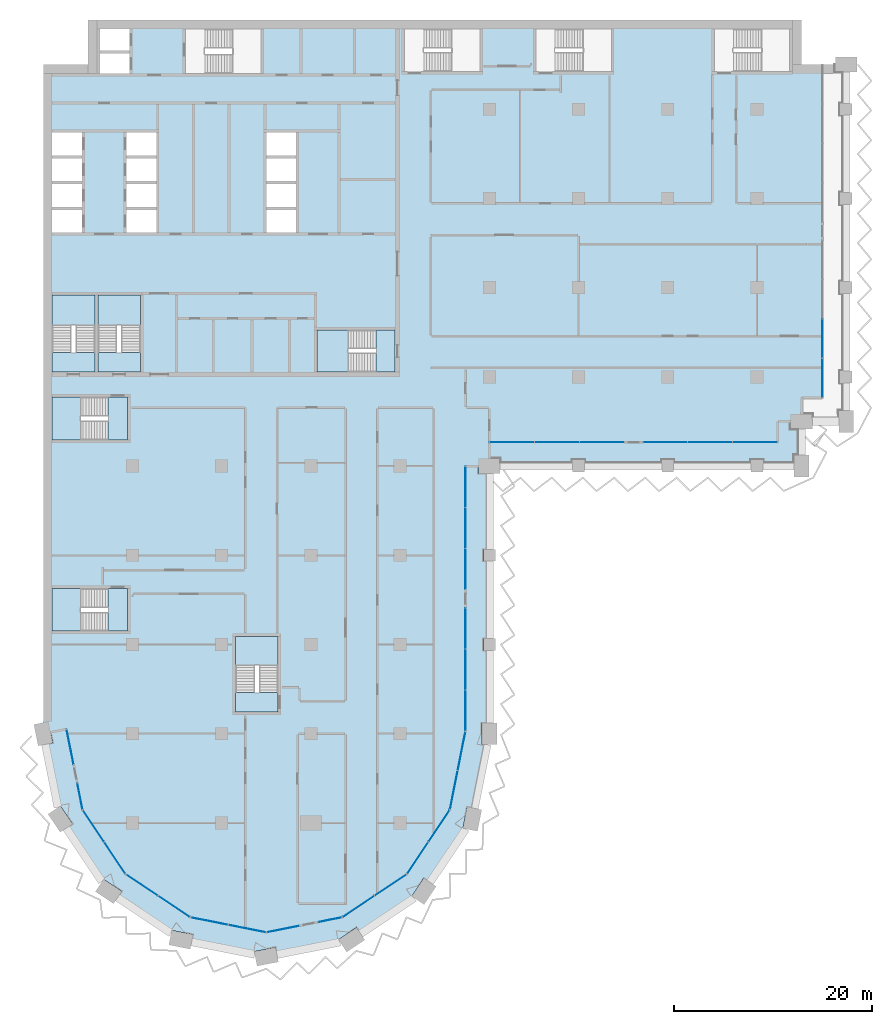
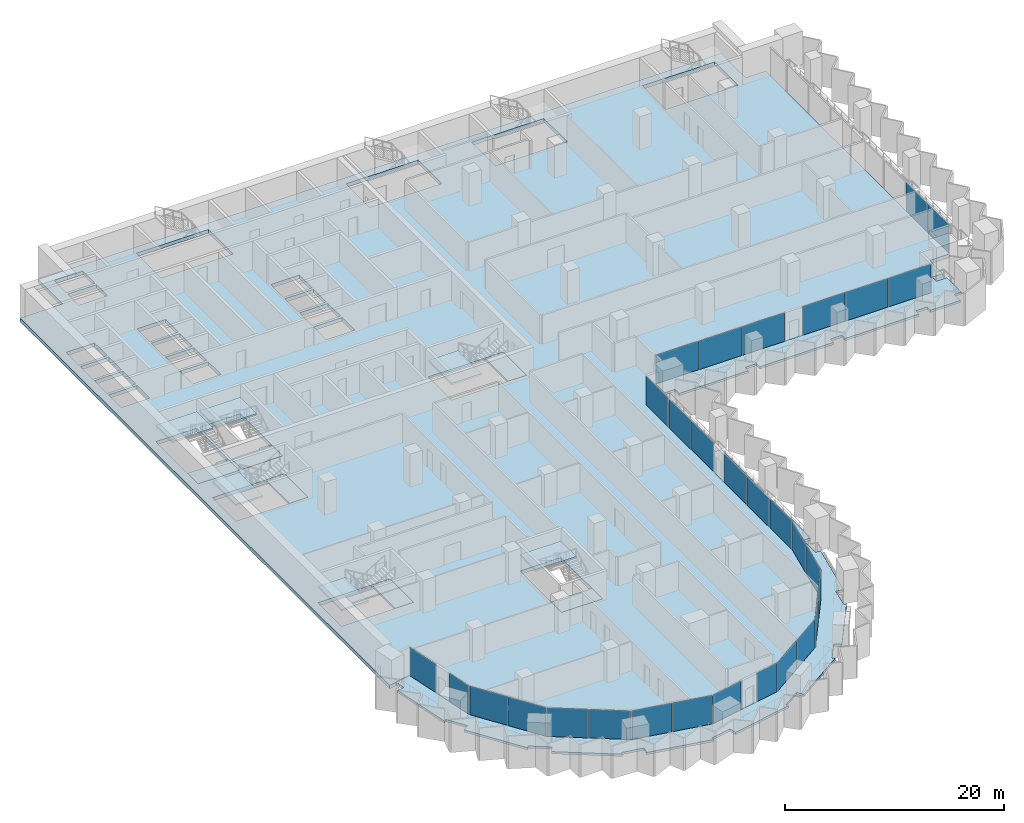
# One storey, part 7 of 23: 30 plates, 15 slabs, 21 elements without a shape of their own.
"""IFC4 building model written with IfcOpenShell, lengths in metres."""

from ifc_helpers import new_model, si_unit, direction, frame, origin, origin_2d, place, context, subcontext, project, spatial, polyline, rectangle, outline, extrude, material, layer, layer_set, type_object, element, aggregate, save


model = new_model("IFC4")

# Units and contexts
model_context = context("Model", 3, precision=1e-05, world=origin(), true_north=direction((0.0, 1.0)))
body_context = subcontext(model_context, "Body", "Model", "MODEL_VIEW")
ifc_project = project(units=[si_unit("LENGTHUNIT", "METRE"), si_unit("AREAUNIT", "SQUARE_METRE"), si_unit("VOLUMEUNIT", "CUBIC_METRE"), si_unit("PLANEANGLEUNIT", "RADIAN"), si_unit("MASSUNIT", "GRAM", prefix="KILO")], contexts=[model_context])

# Site, building, storey
site_placement = place(None, origin())
site = spatial("IfcSite", under=ifc_project, at=site_placement, CompositionType="ELEMENT")
building_placement = place(site_placement, origin())
building = spatial("IfcBuilding", under=site, at=building_placement, Name="Hunhe Ridgeline Campus", CompositionType="ELEMENT")
storey_placement = place(building_placement, frame((0.0, 0.0, 125.5)))
storey = spatial("IfcBuildingStorey", under=building, at=storey_placement, Name="L31", CompositionType="ELEMENT", Elevation=125.5)

# Curtain wall, plate
ifc_material_1 = material(Name="Aluminium 6063", Category="aluminium")
curtain_wall_type_1 = type_object("IfcCurtainWallType", Name="Curtain wall CW-5", PredefinedType="NOTDEFINED", material=ifc_material_1)
curtain_wall_1_placement = place(storey_placement, origin())
curtain_wall_1 = element("IfcCurtainWall", 1, at=curtain_wall_1_placement, inside=storey, type_object=curtain_wall_type_1, Name="Curtain wall 01", PredefinedType="NOTDEFINED")
ifc_material_2 = material(Name="Low-e laminated glass", Category="glass")
ifc_layer_1 = layer(ifc_material_2, 0.028076171875)
ifc_layer_set_1 = layer_set([ifc_layer_1], Name="Curtain wall glass panel 28 low-e laminated")
plate_type = type_object("IfcPlateType", Name="Curtain wall glass panel 28 low-e laminated", PredefinedType="CURTAIN_PANEL", material=ifc_layer_set_1)
plate_1_placement = place(storey_placement, frame((2.7158203125, 25.65380859375, 0.0), z_axis=(0.0, 0.0, 1.0), x_axis=(0.195095326561, -0.980784284924, 0.0)))
plate_1 = element("IfcPlate", 2, at=plate_1_placement, type_object=plate_type, Name="CW-5 panel 1", PredefinedType="CURTAIN_PANEL", context=body_context, shape_type="SweptSolid", body=[
    extrude(rectangle(XDim=3.560791015625, YDim=0.028076171875, at=origin_2d()), origin(), (0.0, 0.0, 1.0), 3.179931640625),
])
aggregate(curtain_wall_1, [plate_1])

curtain_wall_2_placement = place(storey_placement, origin())
curtain_wall_2 = element("IfcCurtainWall", 3, at=curtain_wall_2_placement, inside=storey, type_object=curtain_wall_type_1, Name="Curtain wall 02", PredefinedType="NOTDEFINED")
plate_2_placement = place(storey_placement, frame((3.701171875, 20.699951171875, 0.0), z_axis=(0.0, 0.0, 1.0), x_axis=(0.195095265587, -0.980784297053, 0.0)))
plate_2 = element("IfcPlate", 4, at=plate_2_placement, type_object=plate_type, Name="CW-5 panel 1", PredefinedType="CURTAIN_PANEL", context=body_context, shape_type="SweptSolid", body=[
    extrude(rectangle(XDim=2.660888671875, YDim=0.028076171875, at=origin_2d()), origin(), (0.0, 0.0, 1.0), 3.179931640625),
])
aggregate(curtain_wall_2, [plate_2])

# Curtain wall, plates
curtain_wall_3_placement = place(storey_placement, origin())
curtain_wall_3 = element("IfcCurtainWall", 5, at=curtain_wall_3_placement, inside=storey, type_object=curtain_wall_type_1, Name="Curtain wall 03", PredefinedType="NOTDEFINED")
plate_3_placement = place(storey_placement, frame((5.07080078125, 17.685546875, 0.0), z_axis=(0.0, 0.0, 1.0), x_axis=(0.555570274596, -0.831469584522, 0.0)))
plate_3 = element("IfcPlate", 6, at=plate_3_placement, type_object=plate_type, Name="CW-5 panel 1", PredefinedType="CURTAIN_PANEL", context=body_context, shape_type="SweptSolid", body=[
    extrude(rectangle(XDim=3.806884765625, YDim=0.028076171875, at=origin_2d()), origin(), (0.0, 0.0, 1.0), 3.179931640625),
])
plate_4_placement = place(storey_placement, frame((7.224609375, 14.4619140625, 0.0), z_axis=(0.0, 0.0, 1.0), x_axis=(0.555570274596, -0.831469584522, 0.0)))
plate_4 = element("IfcPlate", 7, at=plate_4_placement, type_object=plate_type, Name="CW-5 panel 2", PredefinedType="CURTAIN_PANEL", context=body_context, shape_type="SweptSolid", body=[
    extrude(rectangle(XDim=3.806884765625, YDim=0.028076171875, at=origin_2d()), origin(), (0.0, 0.0, 1.0), 3.179931640625),
])
aggregate(curtain_wall_3, [plate_3, plate_4])

curtain_wall_4_placement = place(storey_placement, origin())
curtain_wall_4 = element("IfcCurtainWall", 8, at=curtain_wall_4_placement, inside=storey, type_object=curtain_wall_type_1, Name="Curtain wall 04", PredefinedType="NOTDEFINED")
plate_5_placement = place(storey_placement, frame((9.9619140625, 11.724609375, 0.0), z_axis=(0.0, 0.0, 1.0), x_axis=(0.831469584522, -0.555570274596, 0.0)))
plate_5 = element("IfcPlate", 9, at=plate_5_placement, type_object=plate_type, Name="CW-5 panel 1", PredefinedType="CURTAIN_PANEL", context=body_context, shape_type="SweptSolid", body=[
    extrude(rectangle(XDim=3.806884765625, YDim=0.028076171875, at=origin_2d()), origin(), (0.0, 0.0, 1.0), 3.179931640625),
])
plate_6_placement = place(storey_placement, frame((13.185546875, 9.57080078125, 0.0), z_axis=(0.0, 0.0, 1.0), x_axis=(0.831469584522, -0.555570274596, 0.0)))
plate_6 = element("IfcPlate", 10, at=plate_6_placement, type_object=plate_type, Name="CW-5 panel 2", PredefinedType="CURTAIN_PANEL", context=body_context, shape_type="SweptSolid", body=[
    extrude(rectangle(XDim=3.806884765625, YDim=0.028076171875, at=origin_2d()), origin(), (0.0, 0.0, 1.0), 3.179931640625),
])
aggregate(curtain_wall_4, [plate_5, plate_6])

curtain_wall_5_placement = place(storey_placement, origin())
curtain_wall_5 = element("IfcCurtainWall", 11, at=curtain_wall_5_placement, inside=storey, type_object=curtain_wall_type_1, Name="Curtain wall 05", PredefinedType="NOTDEFINED")
plate_7_placement = place(storey_placement, frame((16.761962890625, 8.08935546875, 0.0), z_axis=(0.0, 0.0, 1.0), x_axis=(0.980785275326, -0.195090347539, 0.0)))
plate_7 = element("IfcPlate", 12, at=plate_7_placement, type_object=plate_type, Name="CW-5 panel 1", PredefinedType="CURTAIN_PANEL", context=body_context, shape_type="SweptSolid", body=[
    extrude(rectangle(XDim=3.806884765625, YDim=0.028076171875, at=origin_2d()), origin(), (0.0, 0.0, 1.0), 3.179931640625),
])
plate_8_placement = place(storey_placement, frame((20.564453125, 7.3330078125, 0.0), z_axis=(0.0, 0.0, 1.0), x_axis=(0.980785275326, -0.195090347539, 0.0)))
plate_8 = element("IfcPlate", 13, at=plate_8_placement, type_object=plate_type, Name="CW-5 panel 2", PredefinedType="CURTAIN_PANEL", context=body_context, shape_type="SweptSolid", body=[
    extrude(rectangle(XDim=3.806884765625, YDim=0.028076171875, at=origin_2d()), origin(), (0.0, 0.0, 1.0), 3.179931640625),
])
aggregate(curtain_wall_5, [plate_7, plate_8])

# Curtain wall, plate
curtain_wall_6_placement = place(storey_placement, origin())
curtain_wall_6 = element("IfcCurtainWall", 14, at=curtain_wall_6_placement, inside=storey, type_object=curtain_wall_type_1, Name="Curtain wall 06", PredefinedType="NOTDEFINED")
plate_9_placement = place(storey_placement, frame((24.19775390625, 7.28564453125, 0.0), z_axis=(0.0, 0.0, 1.0), x_axis=(0.980785270791, 0.19509037034, 0.0)))
plate_9 = element("IfcPlate", 15, at=plate_9_placement, type_object=plate_type, Name="CW-5 panel 1", PredefinedType="CURTAIN_PANEL", context=body_context, shape_type="SweptSolid", body=[
    extrude(rectangle(XDim=3.322021484375, YDim=0.028076171875, at=origin_2d()), origin(), (0.0, 0.0, 1.0), 3.179931640625),
])
aggregate(curtain_wall_6, [plate_9])

curtain_wall_7_placement = place(storey_placement, origin())
curtain_wall_7 = element("IfcCurtainWall", 16, at=curtain_wall_7_placement, inside=storey, type_object=curtain_wall_type_1, Name="Curtain wall 07", PredefinedType="NOTDEFINED")
plate_10_placement = place(storey_placement, frame((28.917236328125, 8.224609375, 0.0), z_axis=(0.0, 0.0, 1.0), x_axis=(0.980785242091, 0.195090514627, 0.0)))
plate_10 = element("IfcPlate", 17, at=plate_10_placement, type_object=plate_type, Name="CW-5 panel 1", PredefinedType="CURTAIN_PANEL", context=body_context, shape_type="SweptSolid", body=[
    extrude(rectangle(XDim=2.421875, YDim=0.028076171875, at=origin_2d()), origin(), (0.0, 0.0, 1.0), 3.179931640625),
])
aggregate(curtain_wall_7, [plate_10])

# Curtain wall, plates
curtain_wall_8_placement = place(storey_placement, origin())
curtain_wall_8 = element("IfcCurtainWall", 18, at=curtain_wall_8_placement, inside=storey, type_object=curtain_wall_type_1, Name="Curtain wall 08", PredefinedType="NOTDEFINED")
plate_11_placement = place(storey_placement, frame((31.814453125, 9.57080078125, 0.0), z_axis=(0.0, 0.0, 1.0), x_axis=(0.831469584522, 0.555570274596, 0.0)))
plate_11 = element("IfcPlate", 19, at=plate_11_placement, type_object=plate_type, Name="CW-5 panel 1", PredefinedType="CURTAIN_PANEL", context=body_context, shape_type="SweptSolid", body=[
    extrude(rectangle(XDim=3.806884765625, YDim=0.028076171875, at=origin_2d()), origin(), (0.0, 0.0, 1.0), 3.179931640625),
])
plate_12_placement = place(storey_placement, frame((35.0380859375, 11.724609375, 0.0), z_axis=(0.0, 0.0, 1.0), x_axis=(0.831469584522, 0.555570274596, 0.0)))
plate_12 = element("IfcPlate", 20, at=plate_12_placement, type_object=plate_type, Name="CW-5 panel 2", PredefinedType="CURTAIN_PANEL", context=body_context, shape_type="SweptSolid", body=[
    extrude(rectangle(XDim=3.806884765625, YDim=0.028076171875, at=origin_2d()), origin(), (0.0, 0.0, 1.0), 3.179931640625),
])
aggregate(curtain_wall_8, [plate_11, plate_12])

curtain_wall_9_placement = place(storey_placement, origin())
curtain_wall_9 = element("IfcCurtainWall", 21, at=curtain_wall_9_placement, inside=storey, type_object=curtain_wall_type_1, Name="Curtain wall 09", PredefinedType="NOTDEFINED")
plate_13_placement = place(storey_placement, frame((37.775390625, 14.4619140625, 0.0), z_axis=(0.0, 0.0, 1.0), x_axis=(0.555570274596, 0.831469584522, 0.0)))
plate_13 = element("IfcPlate", 22, at=plate_13_placement, type_object=plate_type, Name="CW-5 panel 1", PredefinedType="CURTAIN_PANEL", context=body_context, shape_type="SweptSolid", body=[
    extrude(rectangle(XDim=3.806884765625, YDim=0.028076171875, at=origin_2d()), origin(), (0.0, 0.0, 1.0), 3.179931640625),
])
plate_14_placement = place(storey_placement, frame((39.92919921875, 17.685546875, 0.0), z_axis=(0.0, 0.0, 1.0), x_axis=(0.555570274596, 0.831469584522, 0.0)))
plate_14 = element("IfcPlate", 23, at=plate_14_placement, type_object=plate_type, Name="CW-5 panel 2", PredefinedType="CURTAIN_PANEL", context=body_context, shape_type="SweptSolid", body=[
    extrude(rectangle(XDim=3.806884765625, YDim=0.028076171875, at=origin_2d()), origin(), (0.0, 0.0, 1.0), 3.179931640625),
])
aggregate(curtain_wall_9, [plate_13, plate_14])

curtain_wall_10_placement = place(storey_placement, origin())
curtain_wall_10 = element("IfcCurtainWall", 24, at=curtain_wall_10_placement, inside=storey, type_object=curtain_wall_type_1, Name="Curtain wall 10", PredefinedType="NOTDEFINED")
plate_15_placement = place(storey_placement, frame((41.42236328125, 21.321044921875, 0.0), z_axis=(0.0, 0.0, 1.0), x_axis=(0.195090299215, 0.980785284939, 0.0)))
plate_15 = element("IfcPlate", 25, at=plate_15_placement, type_object=plate_type, Name="CW-5 panel 1", PredefinedType="CURTAIN_PANEL", context=body_context, shape_type="SweptSolid", body=[
    extrude(rectangle(XDim=3.927490234375, YDim=0.028076171875, at=origin_2d()), origin(), (0.0, 0.0, 1.0), 3.179931640625),
])
plate_16_placement = place(storey_placement, frame((42.2021484375, 25.24169921875, 0.0), z_axis=(0.0, 0.0, 1.0), x_axis=(0.195090299215, 0.980785284939, 0.0)))
plate_16 = element("IfcPlate", 26, at=plate_16_placement, type_object=plate_type, Name="CW-5 panel 2", PredefinedType="CURTAIN_PANEL", context=body_context, shape_type="SweptSolid", body=[
    extrude(rectangle(XDim=3.927490234375, YDim=0.028076171875, at=origin_2d()), origin(), (0.0, 0.0, 1.0), 3.179931640625),
])
aggregate(curtain_wall_10, [plate_15, plate_16])

curtain_wall_type_2 = type_object("IfcCurtainWallType", Name="Curtain wall CW-1", PredefinedType="NOTDEFINED", material=ifc_material_1)
curtain_wall_11_placement = place(storey_placement, origin())
curtain_wall_11 = element("IfcCurtainWall", 27, at=curtain_wall_11_placement, inside=storey, type_object=curtain_wall_type_2, Name="Curtain wall 11", PredefinedType="NOTDEFINED")
plate_17_placement = place(storey_placement, frame((42.59912109375, 29.331787109375, 0.0), z_axis=(0.0, 0.0, 1.0), x_axis=(1.0975712e-05, 0.99999999994, 0.0)))
plate_17 = element("IfcPlate", 28, at=plate_17_placement, type_object=plate_type, Name="CW-1 panel 1", PredefinedType="CURTAIN_PANEL", context=body_context, shape_type="SweptSolid", body=[
    extrude(rectangle(XDim=4.07080078125, YDim=0.028076171875, at=origin_2d()), origin(), (0.0, 0.0, 1.0), 3.18994140625),
])
plate_18_placement = place(storey_placement, frame((42.59912109375, 33.4775390625, 0.0), z_axis=(0.0, 0.0, 1.0), x_axis=(1.0975712e-05, 0.99999999994, 0.0)))
plate_18 = element("IfcPlate", 29, at=plate_18_placement, type_object=plate_type, Name="CW-1 panel 2", PredefinedType="CURTAIN_PANEL", context=body_context, shape_type="SweptSolid", body=[
    extrude(rectangle(XDim=4.1005859375, YDim=0.028076171875, at=origin_2d()), origin(), (0.0, 0.0, 1.0), 3.18994140625),
])
plate_19_placement = place(storey_placement, frame((42.59912109375, 37.623291015625, 0.0), z_axis=(0.0, 0.0, 1.0), x_axis=(1.0975712e-05, 0.99999999994, 0.0)))
plate_19 = element("IfcPlate", 30, at=plate_19_placement, type_object=plate_type, Name="CW-1 panel 3", PredefinedType="CURTAIN_PANEL", context=body_context, shape_type="SweptSolid", body=[
    extrude(rectangle(XDim=4.07080078125, YDim=0.028076171875, at=origin_2d()), origin(), (0.0, 0.0, 1.0), 3.18994140625),
])
aggregate(curtain_wall_11, [plate_17, plate_18, plate_19])

curtain_wall_12_placement = place(storey_placement, origin())
curtain_wall_12 = element("IfcCurtainWall", 31, at=curtain_wall_12_placement, inside=storey, type_object=curtain_wall_type_2, Name="Curtain wall 12", PredefinedType="NOTDEFINED")
plate_20_placement = place(storey_placement, frame((42.59912109375, 43.614013671875, 0.0), z_axis=(0.0, 0.0, 1.0), x_axis=(1.0975712e-05, 0.99999999994, 0.0)))
plate_20 = element("IfcPlate", 32, at=plate_20_placement, type_object=plate_type, Name="CW-1 panel 1", PredefinedType="CURTAIN_PANEL", context=body_context, shape_type="SweptSolid", body=[
    extrude(rectangle(XDim=4.07080078125, YDim=0.028076171875, at=origin_2d()), origin(), (0.0, 0.0, 1.0), 3.18994140625),
])
plate_21_placement = place(storey_placement, frame((42.59912109375, 47.759765625, 0.0), z_axis=(0.0, 0.0, 1.0), x_axis=(1.0975712e-05, 0.99999999994, 0.0)))
plate_21 = element("IfcPlate", 33, at=plate_21_placement, type_object=plate_type, Name="CW-1 panel 2", PredefinedType="CURTAIN_PANEL", context=body_context, shape_type="SweptSolid", body=[
    extrude(rectangle(XDim=4.1005859375, YDim=0.028076171875, at=origin_2d()), origin(), (0.0, 0.0, 1.0), 3.18994140625),
])
plate_22_placement = place(storey_placement, frame((42.599365234375, 51.9052734375, 0.0), z_axis=(0.0, 0.0, 1.0), x_axis=(1.0975712e-05, 0.99999999994, 0.0)))
plate_22 = element("IfcPlate", 34, at=plate_22_placement, type_object=plate_type, Name="CW-1 panel 3", PredefinedType="CURTAIN_PANEL", context=body_context, shape_type="SweptSolid", body=[
    extrude(rectangle(XDim=4.07080078125, YDim=0.028076171875, at=origin_2d()), origin(), (0.0, 0.0, 1.0), 3.18994140625),
])
aggregate(curtain_wall_12, [plate_20, plate_21, plate_22])

curtain_wall_13_placement = place(storey_placement, origin())
curtain_wall_13 = element("IfcCurtainWall", 35, at=curtain_wall_13_placement, inside=storey, type_object=curtain_wall_type_2, Name="Curtain wall 13", PredefinedType="NOTDEFINED")
plate_23_placement = place(storey_placement, frame((47.289794921875, 56.40087890625, 0.0), z_axis=(0.0, 0.0, 1.0), x_axis=(1.0, 1.4652e-07, 0.0)))
plate_23 = element("IfcPlate", 36, at=plate_23_placement, type_object=plate_type, Name="CW-1 panel 1", PredefinedType="CURTAIN_PANEL", context=body_context, shape_type="SweptSolid", body=[
    extrude(rectangle(XDim=4.4599609375, YDim=0.028076171875, at=origin_2d()), origin(), (0.0, 0.0, 1.0), 3.18994140625),
])
plate_24_placement = place(storey_placement, frame((51.82470703125, 56.40087890625, 0.0), z_axis=(0.0, 0.0, 1.0), x_axis=(1.0, 1.4652e-07, 0.0)))
plate_24 = element("IfcPlate", 37, at=plate_24_placement, type_object=plate_type, Name="CW-1 panel 2", PredefinedType="CURTAIN_PANEL", context=body_context, shape_type="SweptSolid", body=[
    extrude(rectangle(XDim=4.48974609375, YDim=0.028076171875, at=origin_2d()), origin(), (0.0, 0.0, 1.0), 3.18994140625),
])
plate_25_placement = place(storey_placement, frame((56.359619140625, 56.40087890625, 0.0), z_axis=(0.0, 0.0, 1.0), x_axis=(1.0, 1.4652e-07, 0.0)))
plate_25 = element("IfcPlate", 38, at=plate_25_placement, type_object=plate_type, Name="CW-1 panel 3", PredefinedType="CURTAIN_PANEL", context=body_context, shape_type="SweptSolid", body=[
    extrude(rectangle(XDim=4.4599609375, YDim=0.028076171875, at=origin_2d()), origin(), (0.0, 0.0, 1.0), 3.18994140625),
])
aggregate(curtain_wall_13, [plate_23, plate_24, plate_25])

curtain_wall_14_placement = place(storey_placement, origin())
curtain_wall_14 = element("IfcCurtainWall", 39, at=curtain_wall_14_placement, inside=storey, type_object=curtain_wall_type_2, Name="Curtain wall 14", PredefinedType="NOTDEFINED")
plate_26_placement = place(storey_placement, frame((62.7392578125, 56.40087890625, 0.0), z_axis=(0.0, 0.0, 1.0), x_axis=(1.0, 1.4652e-07, 0.0)))
plate_26 = element("IfcPlate", 40, at=plate_26_placement, type_object=plate_type, Name="CW-1 panel 1", PredefinedType="CURTAIN_PANEL", context=body_context, shape_type="SweptSolid", body=[
    extrude(rectangle(XDim=4.4599609375, YDim=0.028076171875, at=origin_2d()), origin(), (0.0, 0.0, 1.0), 3.18994140625),
])
plate_27_placement = place(storey_placement, frame((67.274169921875, 56.40087890625, 0.0), z_axis=(0.0, 0.0, 1.0), x_axis=(1.0, 1.4652e-07, 0.0)))
plate_27 = element("IfcPlate", 41, at=plate_27_placement, type_object=plate_type, Name="CW-1 panel 2", PredefinedType="CURTAIN_PANEL", context=body_context, shape_type="SweptSolid", body=[
    extrude(rectangle(XDim=4.48974609375, YDim=0.028076171875, at=origin_2d()), origin(), (0.0, 0.0, 1.0), 3.18994140625),
])
plate_28_placement = place(storey_placement, frame((71.80908203125, 56.40087890625, 0.0), z_axis=(0.0, 0.0, 1.0), x_axis=(1.0, 1.4652e-07, 0.0)))
plate_28 = element("IfcPlate", 42, at=plate_28_placement, type_object=plate_type, Name="CW-1 panel 3", PredefinedType="CURTAIN_PANEL", context=body_context, shape_type="SweptSolid", body=[
    extrude(rectangle(XDim=4.4599609375, YDim=0.028076171875, at=origin_2d()), origin(), (0.0, 0.0, 1.0), 3.18994140625),
])
aggregate(curtain_wall_14, [plate_26, plate_27, plate_28])

curtain_wall_15_placement = place(storey_placement, origin())
curtain_wall_15 = element("IfcCurtainWall", 43, at=curtain_wall_15_placement, inside=storey, type_object=curtain_wall_type_2, Name="Curtain wall 15", PredefinedType="NOTDEFINED")
plate_29_placement = place(storey_placement, frame((78.59912109375, 62.9033203125, 0.0), z_axis=(0.0, 0.0, 1.0), x_axis=(0.0, 1.0, 0.0)))
plate_29 = element("IfcPlate", 44, at=plate_29_placement, type_object=plate_type, Name="CW-1 panel 1", PredefinedType="CURTAIN_PANEL", context=body_context, shape_type="SweptSolid", body=[
    extrude(rectangle(XDim=3.884765625, YDim=0.028076171875, at=origin_2d()), origin(), (0.0, 0.0, 1.0), 3.18994140625),
])
plate_30_placement = place(storey_placement, frame((78.59912109375, 66.86328125, 0.0), z_axis=(0.0, 0.0, 1.0), x_axis=(0.0, 1.0, 0.0)))
plate_30 = element("IfcPlate", 45, at=plate_30_placement, type_object=plate_type, Name="CW-1 panel 2", PredefinedType="CURTAIN_PANEL", context=body_context, shape_type="SweptSolid", body=[
    extrude(rectangle(XDim=3.914794921875, YDim=0.028076171875, at=origin_2d()), origin(), (0.0, 0.0, 1.0), 3.18994140625),
])
aggregate(curtain_wall_15, [plate_29, plate_30])

# Slabs
ifc_material_3 = material(Name="Concrete C40", Category="concrete")
ifc_layer_2 = layer(ifc_material_3, 0.39990234375)
ifc_layer_set_2 = layer_set([ifc_layer_2], Name="Floor slab 400 Concrete C40")
slab_type_1 = type_object("IfcSlabType", Name="Floor slab 400 Concrete C40", PredefinedType="FLOOR", material=ifc_layer_set_2)
slab_1_placement = place(storey_placement, frame((0.0, 0.0, -0.39990234375)))
element("IfcSlab", 46, at=slab_1_placement, inside=storey, type_object=slab_type_1, Name="Floor slab L31 1", PredefinedType="FLOOR", context=body_context, shape_type="SweptSolid", body=[
    extrude(outline(polyline([(0.0, 27.0009765625), (2.354736328125, 27.46875), (3.974365234375, 19.326416015625), (8.321044921875, 12.821044921875), (14.826416015625, 8.474365234375), (22.5, 6.947998046875), (30.173583984375, 8.474365234375), (36.678955078125, 12.821044921875), (41.025634765625, 19.326416015625), (42.59912109375, 27.236572265625), (42.599365234375, 54.000732421875), (44.9990234375, 54.0009765625), (45.0, 56.40087890625), (74.09912109375, 56.40087890625), (74.099365234375, 58.500732421875), (76.4990234375, 58.5009765625), (76.499267578125, 60.900634765625), (78.59912109375, 60.90087890625), (78.59912109375, 94.5), (76.5, 94.5), (76.5, 99.0), (4.5, 99.0), (4.5, 94.5), (0.0, 94.5), (0.0, 27.0009765625)]), holes=[polyline([(67.699951171875, 93.800048828125), (75.300048828125, 93.800048828125), (75.300048828125, 98.10009765625), (67.699951171875, 98.10009765625), (67.699951171875, 93.800048828125)]), polyline([(57.300048828125, 93.800048828125), (57.300048828125, 98.10009765625), (49.699951171875, 98.10009765625), (49.699951171875, 93.800048828125), (57.300048828125, 93.800048828125)]), polyline([(44.050048828125, 98.10009765625), (36.449951171875, 98.10009765625), (36.449951171875, 93.800048828125), (44.050048828125, 93.800048828125), (44.050048828125, 98.10009765625)]), polyline([(27.60009765625, 67.75), (27.60009765625, 63.5), (35.5, 63.5), (35.5, 67.75), (27.60009765625, 67.75)]), polyline([(25.5, 85.35009765625), (25.5, 87.64990234375), (22.5, 87.64990234375), (22.5, 85.35009765625), (25.5, 85.35009765625)]), polyline([(25.5, 85.050048828125), (22.5, 85.050048828125), (22.5, 82.75), (25.5, 82.75), (25.5, 85.050048828125)]), polyline([(22.5, 82.449951171875), (22.5, 80.14990234375), (25.5, 80.14990234375), (25.5, 82.449951171875), (22.5, 82.449951171875)]), polyline([(22.5, 77.550048828125), (25.5, 77.550048828125), (25.5, 79.85009765625), (22.5, 79.85009765625), (22.5, 77.550048828125)]), polyline([(19.39990234375, 29.199951171875), (23.699951171875, 29.199951171875), (23.699951171875, 36.800048828125), (19.39990234375, 36.800048828125), (19.39990234375, 29.199951171875)]), polyline([(21.949951171875, 98.10009765625), (14.35009765625, 98.10009765625), (14.35009765625, 93.60009765625), (21.949951171875, 93.60009765625), (21.949951171875, 98.10009765625)]), polyline([(8.39990234375, 82.449951171875), (8.39990234375, 80.14990234375), (11.39990234375, 80.14990234375), (11.39990234375, 82.449951171875), (8.39990234375, 82.449951171875)]), polyline([(11.39990234375, 85.35009765625), (11.39990234375, 87.64990234375), (8.39990234375, 87.64990234375), (8.39990234375, 85.35009765625), (11.39990234375, 85.35009765625)]), polyline([(11.39990234375, 85.050048828125), (8.39990234375, 85.050048828125), (8.39990234375, 82.75), (11.39990234375, 82.75), (11.39990234375, 85.050048828125)]), polyline([(8.39990234375, 77.550048828125), (11.39990234375, 77.550048828125), (11.39990234375, 79.85009765625), (8.39990234375, 79.85009765625), (8.39990234375, 77.550048828125)]), polyline([(5.5, 63.5), (9.800048828125, 63.5), (9.800048828125, 71.25), (5.5, 71.25), (5.5, 63.5)]), polyline([(5.699951171875, 98.10009765625), (5.699951171875, 95.89990234375), (8.699951171875, 95.89990234375), (8.699951171875, 98.10009765625), (5.699951171875, 98.10009765625)]), polyline([(5.699951171875, 93.60009765625), (8.699951171875, 93.60009765625), (8.699951171875, 95.60009765625), (5.699951171875, 95.60009765625), (5.699951171875, 93.60009765625)]), polyline([(0.89990234375, 60.949951171875), (0.89990234375, 56.64990234375), (8.5, 56.64990234375), (8.5, 60.949951171875), (0.89990234375, 60.949951171875)]), polyline([(0.89990234375, 37.35009765625), (8.5, 37.35009765625), (8.5, 41.64990234375), (0.89990234375, 41.64990234375), (0.89990234375, 37.35009765625)]), polyline([(5.199951171875, 63.5), (5.199951171875, 71.25), (0.89990234375, 71.25), (0.89990234375, 63.5), (5.199951171875, 63.5)]), polyline([(3.89990234375, 85.35009765625), (3.89990234375, 87.64990234375), (0.89990234375, 87.64990234375), (0.89990234375, 85.35009765625), (3.89990234375, 85.35009765625)]), polyline([(3.89990234375, 85.050048828125), (0.89990234375, 85.050048828125), (0.89990234375, 82.75), (3.89990234375, 82.75), (3.89990234375, 85.050048828125)]), polyline([(0.89990234375, 82.449951171875), (0.89990234375, 80.14990234375), (3.89990234375, 80.14990234375), (3.89990234375, 82.449951171875), (0.89990234375, 82.449951171875)]), polyline([(0.89990234375, 77.550048828125), (3.89990234375, 77.550048828125), (3.89990234375, 79.85009765625), (0.89990234375, 79.85009765625), (0.89990234375, 77.550048828125)])]), origin(), (0.0, 0.0, 1.0), 0.39990234375),
])
ifc_layer_3 = layer(ifc_material_3, 0.25)
ifc_layer_set_3 = layer_set([ifc_layer_3], Name="Loggia slab 250 Concrete C40")
slab_type_2 = type_object("IfcSlabType", Name="Loggia slab 250 Concrete C40", PredefinedType="FLOOR", material=ifc_layer_set_3)
slab_2_placement = place(storey_placement, frame((0.0, 0.0, -0.25)))
element("IfcSlab", 47, at=slab_2_placement, inside=storey, type_object=slab_type_2, Name="Loggia slab 1", PredefinedType="FLOOR", context=body_context, shape_type="SweptSolid", body=[
    extrude(outline(polyline([(30.173828125, 8.473388671875), (22.5, 6.947021484375), (14.826171875, 8.473388671875), (8.3203125, 12.8203125), (3.973388671875, 19.326171875), (2.35400390625, 27.46826171875), (0.735595703125, 27.146240234375), (0.9501953125, 26.0673828125), (0.214599609375, 25.921142578125), (1.48046875, 19.557373046875), (1.72509765625, 19.720947265625), (2.947509765625, 17.8916015625), (2.32373046875, 17.47509765625), (5.9287109375, 12.080078125), (6.092041015625, 12.32470703125), (7.92138671875, 11.1025390625), (7.504638671875, 10.47900390625), (12.899658203125, 6.874267578125), (12.95703125, 7.162841796875), (15.11474609375, 6.733642578125), (14.968505859375, 5.998046875), (21.332275390625, 4.732177734375), (21.27490234375, 5.02099609375), (23.4326171875, 5.4501953125), (23.578857421875, 4.714599609375), (29.942626953125, 5.98046875), (29.779052734375, 6.22509765625), (31.6083984375, 7.447509765625), (32.02490234375, 6.82373046875), (37.419921875, 10.4287109375), (37.17529296875, 10.592041015625), (38.3974609375, 12.42138671875), (39.02099609375, 12.004638671875), (42.625732421875, 17.399658203125), (42.337158203125, 17.45703125), (42.766357421875, 19.61474609375), (43.501953125, 19.468505859375), (44.78125, 25.89990234375), (44.25, 25.89990234375), (44.25, 28.10009765625), (45.0, 28.10009765625), (45.0, 35.39990234375), (44.39990234375, 35.39990234375), (44.39990234375, 36.60009765625), (45.0, 36.60009765625), (45.0, 44.39990234375), (44.39990234375, 44.39990234375), (44.39990234375, 45.60009765625), (45.0, 45.60009765625), (45.0, 53.25), (43.89990234375, 53.25), (43.89990234375, 54.0), (42.60009765625, 54.0), (42.60009765625, 27.236328125), (41.026611328125, 19.326171875), (36.6796875, 12.8203125), (30.173828125, 8.473388671875)])), origin(), (0.0, 0.0, 1.0), 0.25),
])
slab_3_placement = place(storey_placement, frame((0.0, 0.0, -0.25)))
element("IfcSlab", 48, at=slab_3_placement, inside=storey, type_object=slab_type_2, Name="Loggia slab 2", PredefinedType="FLOOR", context=body_context, shape_type="SweptSolid", body=[
    extrude(outline(polyline([(45.0, 54.75), (46.10009765625, 54.75), (46.10009765625, 54.0), (53.39990234375, 54.0), (53.39990234375, 54.60009765625), (54.60009765625, 54.60009765625), (54.60009765625, 54.0), (62.39990234375, 54.0), (62.39990234375, 54.60009765625), (63.60009765625, 54.60009765625), (63.60009765625, 54.0), (71.39990234375, 54.0), (71.39990234375, 54.60009765625), (72.60009765625, 54.60009765625), (72.60009765625, 54.0), (75.75, 54.0), (75.75, 55.10009765625), (76.5, 55.10009765625), (76.5, 57.75), (75.39990234375, 57.75), (75.39990234375, 58.5), (74.10009765625, 58.5), (74.10009765625, 56.39990234375), (45.0, 56.39990234375), (45.0, 54.75)])), origin(), (0.0, 0.0, 1.0), 0.25),
])

# Stair, slab
stair_type = type_object("IfcStairType", Name="Reinforced concrete dog-leg stair 1950 Concrete C40", PredefinedType="HALF_TURN_STAIR", material=ifc_material_3)
stair_1_placement = place(storey_placement, origin())
stair_1 = element("IfcStair", 49, at=stair_1_placement, inside=storey, type_object=stair_type, Name="L31 S2", PredefinedType="HALF_TURN_STAIR")
ifc_layer_4 = layer(ifc_material_3, 0.199951171875)
ifc_layer_set_4 = layer_set([ifc_layer_4], Name="Reinforced concrete stair landing 200 Concrete C40")
slab_type_3 = type_object("IfcSlabType", Name="Reinforced concrete stair landing 200 Concrete C40", PredefinedType="LANDING", material=ifc_layer_set_4)
slab_4_placement = place(storey_placement, frame((0.0, 0.0, 1.64990234375)))
slab_4 = element("IfcSlab", 50, at=slab_4_placement, type_object=slab_type_3, Name="ST2 landing 1", PredefinedType="LANDING", context=body_context, shape_type="SweptSolid", body=[
    extrude(outline(polyline([(30.75, 67.75), (27.60009765625, 67.75), (27.60009765625, 63.5), (30.75, 63.5), (30.75, 67.75)])), origin(), (0.0, 0.0, 1.0), 0.2001953125),
])
aggregate(stair_1, [slab_4])

# Slab
slab_5_placement = place(storey_placement, frame((0.0, 0.0, -0.199951171875)))
element("IfcSlab", 51, at=slab_5_placement, inside=storey, type_object=slab_type_3, Name="L31 stair S2 floor landing", PredefinedType="LANDING", context=body_context, shape_type="SweptSolid", body=[
    extrude(outline(polyline([(35.5, 67.75), (33.550048828125, 67.75), (33.550048828125, 63.5), (35.5, 63.5), (35.5, 67.75)])), origin(), (0.0, 0.0, 1.0), 0.199951171875),
])

# Stair, slab
stair_2_placement = place(storey_placement, origin())
stair_2 = element("IfcStair", 52, at=stair_2_placement, inside=storey, type_object=stair_type, Name="L31 S3", PredefinedType="HALF_TURN_STAIR")
slab_6_placement = place(storey_placement, frame((0.0, 0.0, 1.64990234375)))
slab_6 = element("IfcSlab", 53, at=slab_6_placement, type_object=slab_type_3, Name="ST3 landing 1", PredefinedType="LANDING", context=body_context, shape_type="SweptSolid", body=[
    extrude(outline(polyline([(5.199951171875, 68.25), (5.199951171875, 71.25), (0.89990234375, 71.25), (0.89990234375, 68.25), (5.199951171875, 68.25)])), origin(), (0.0, 0.0, 1.0), 0.2001953125),
])
aggregate(stair_2, [slab_6])

# Slab
slab_7_placement = place(storey_placement, frame((0.0, 0.0, -0.199951171875)))
element("IfcSlab", 54, at=slab_7_placement, inside=storey, type_object=slab_type_3, Name="L31 stair S3 floor landing", PredefinedType="LANDING", context=body_context, shape_type="SweptSolid", body=[
    extrude(outline(polyline([(5.199951171875, 63.5), (5.199951171875, 65.449951171875), (0.89990234375, 65.449951171875), (0.89990234375, 63.5), (5.199951171875, 63.5)])), origin(), (0.0, 0.0, 1.0), 0.199951171875),
])

# Stair, slab
stair_3_placement = place(storey_placement, origin())
stair_3 = element("IfcStair", 55, at=stair_3_placement, inside=storey, type_object=stair_type, Name="L31 S4", PredefinedType="HALF_TURN_STAIR")
slab_8_placement = place(storey_placement, frame((0.0, 0.0, 1.64990234375)))
slab_8 = element("IfcSlab", 56, at=slab_8_placement, type_object=slab_type_3, Name="ST4 landing 1", PredefinedType="LANDING", context=body_context, shape_type="SweptSolid", body=[
    extrude(outline(polyline([(9.800048828125, 68.25), (9.800048828125, 71.25), (5.5, 71.25), (5.5, 68.25), (9.800048828125, 68.25)])), origin(), (0.0, 0.0, 1.0), 0.2001953125),
])
aggregate(stair_3, [slab_8])

# Slab
slab_9_placement = place(storey_placement, frame((0.0, 0.0, -0.199951171875)))
element("IfcSlab", 57, at=slab_9_placement, inside=storey, type_object=slab_type_3, Name="L31 stair S4 floor landing", PredefinedType="LANDING", context=body_context, shape_type="SweptSolid", body=[
    extrude(outline(polyline([(9.800048828125, 63.5), (9.800048828125, 65.449951171875), (5.5, 65.449951171875), (5.5, 63.5), (9.800048828125, 63.5)])), origin(), (0.0, 0.0, 1.0), 0.199951171875),
])

# Stair, slab
stair_4_placement = place(storey_placement, origin())
stair_4 = element("IfcStair", 58, at=stair_4_placement, inside=storey, type_object=stair_type, Name="L31 W3", PredefinedType="HALF_TURN_STAIR")
slab_10_placement = place(storey_placement, frame((0.0, 0.0, 1.64990234375)))
slab_10 = element("IfcSlab", 59, at=slab_10_placement, type_object=slab_type_3, Name="ST9 landing 1", PredefinedType="LANDING", context=body_context, shape_type="SweptSolid", body=[
    extrude(outline(polyline([(23.699951171875, 33.949951171875), (23.699951171875, 36.800048828125), (19.39990234375, 36.800048828125), (19.39990234375, 33.949951171875), (23.699951171875, 33.949951171875)])), origin(), (0.0, 0.0, 1.0), 0.2001953125),
])
aggregate(stair_4, [slab_10])

# Slab
slab_11_placement = place(storey_placement, frame((0.0, 0.0, -0.199951171875)))
element("IfcSlab", 60, at=slab_11_placement, inside=storey, type_object=slab_type_3, Name="L31 stair W3 floor landing", PredefinedType="LANDING", context=body_context, shape_type="SweptSolid", body=[
    extrude(outline(polyline([(23.699951171875, 29.199951171875), (23.699951171875, 31.14990234375), (19.39990234375, 31.14990234375), (19.39990234375, 29.199951171875), (23.699951171875, 29.199951171875)])), origin(), (0.0, 0.0, 1.0), 0.199951171875),
])

# Stair, slab
stair_5_placement = place(storey_placement, origin())
stair_5 = element("IfcStair", 61, at=stair_5_placement, inside=storey, type_object=stair_type, Name="L31 W1", PredefinedType="HALF_TURN_STAIR")
slab_12_placement = place(storey_placement, frame((0.0, 0.0, 1.64990234375)))
slab_12 = element("IfcSlab", 62, at=slab_12_placement, type_object=slab_type_3, Name="ST11 landing 1", PredefinedType="LANDING", context=body_context, shape_type="SweptSolid", body=[
    extrude(outline(polyline([(3.75, 41.64990234375), (0.89990234375, 41.64990234375), (0.89990234375, 37.35009765625), (3.75, 37.35009765625), (3.75, 41.64990234375)])), origin(), (0.0, 0.0, 1.0), 0.2001953125),
])
aggregate(stair_5, [slab_12])

# Slab
slab_13_placement = place(storey_placement, frame((0.0, 0.0, -0.199951171875)))
element("IfcSlab", 63, at=slab_13_placement, inside=storey, type_object=slab_type_3, Name="L31 stair W1 floor landing", PredefinedType="LANDING", context=body_context, shape_type="SweptSolid", body=[
    extrude(outline(polyline([(8.5, 41.64990234375), (6.550048828125, 41.64990234375), (6.550048828125, 37.35009765625), (8.5, 37.35009765625), (8.5, 41.64990234375)])), origin(), (0.0, 0.0, 1.0), 0.199951171875),
])

# Stair, slab
stair_6_placement = place(storey_placement, origin())
stair_6 = element("IfcStair", 64, at=stair_6_placement, inside=storey, type_object=stair_type, Name="L31 W2", PredefinedType="HALF_TURN_STAIR")
slab_14_placement = place(storey_placement, frame((0.0, 0.0, 1.64990234375)))
slab_14 = element("IfcSlab", 65, at=slab_14_placement, type_object=slab_type_3, Name="ST12 landing 1", PredefinedType="LANDING", context=body_context, shape_type="SweptSolid", body=[
    extrude(outline(polyline([(3.75, 60.949951171875), (0.89990234375, 60.949951171875), (0.89990234375, 56.64990234375), (3.75, 56.64990234375), (3.75, 60.949951171875)])), origin(), (0.0, 0.0, 1.0), 0.2001953125),
])
aggregate(stair_6, [slab_14])

# Slab
slab_15_placement = place(storey_placement, frame((0.0, 0.0, -0.199951171875)))
element("IfcSlab", 66, at=slab_15_placement, inside=storey, type_object=slab_type_3, Name="L31 stair W2 floor landing", PredefinedType="LANDING", context=body_context, shape_type="SweptSolid", body=[
    extrude(outline(polyline([(8.5, 60.949951171875), (6.550048828125, 60.949951171875), (6.550048828125, 56.64990234375), (8.5, 56.64990234375), (8.5, 60.949951171875)])), origin(), (0.0, 0.0, 1.0), 0.199951171875),
])

save(model, "model.ifc")
